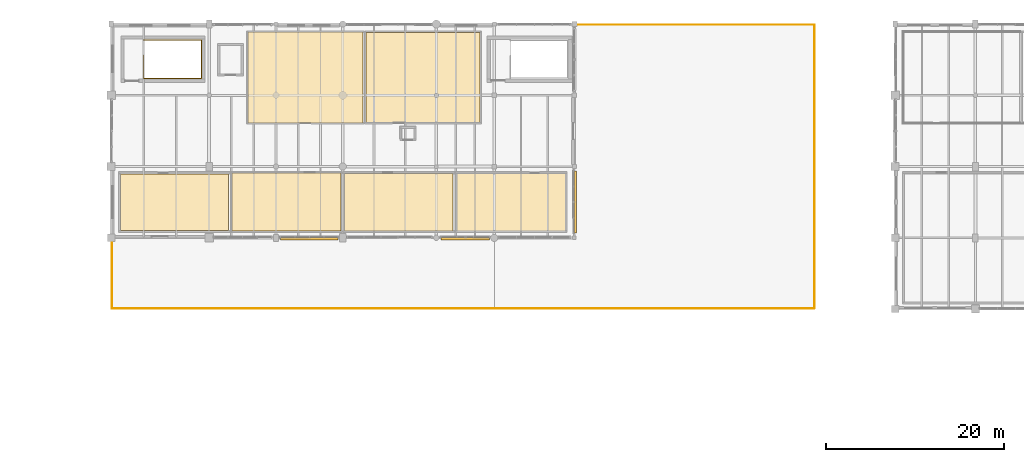
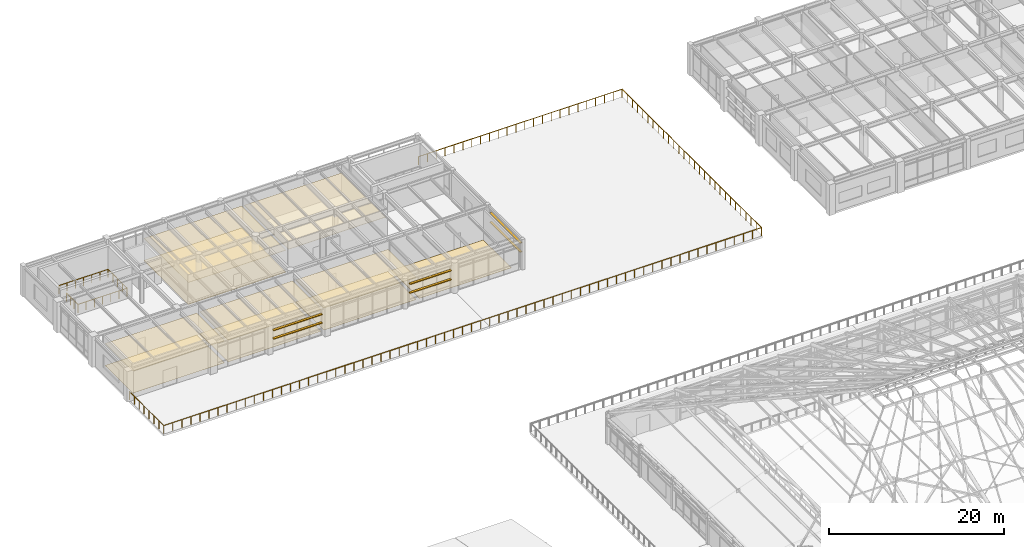
# One storey, part 165 of 168: 10 coverings, 6 shading devices, 2 railings.
"""IFC4 building model written with IfcOpenShell, lengths in metres."""

from ifc_helpers import new_model, si_unit, direction, frame, origin, origin_2d, place, context, subcontext, project, spatial, polyline, rectangle, circle, outline, extrude, material, layer, layer_set, type_object, element, save


model = new_model("IFC4")

# Units and contexts
model_context = context("Model", 3, precision=1e-05, world=origin(), true_north=direction((0.0, 1.0)))
body_context = subcontext(model_context, "Body", "Model", "MODEL_VIEW")
ifc_project = project(units=[si_unit("LENGTHUNIT", "METRE"), si_unit("AREAUNIT", "SQUARE_METRE"), si_unit("VOLUMEUNIT", "CUBIC_METRE"), si_unit("PLANEANGLEUNIT", "RADIAN"), si_unit("MASSUNIT", "GRAM", prefix="KILO"), si_unit("THERMODYNAMICTEMPERATUREUNIT", "KELVIN"), si_unit("POWERUNIT", "WATT")], contexts=[model_context])

# Site, building, storey
site_placement = place(None, origin())
site = spatial("IfcSite", under=ifc_project, at=site_placement, CompositionType="ELEMENT")
building_placement = place(site_placement, origin())
building = spatial("IfcBuilding", under=site, at=building_placement, Name="Tepalcoro Natatorium and Aquatics Centre", CompositionType="ELEMENT")
storey_placement = place(building_placement, frame((0.0, 0.0, 10.199951171875)))
storey = spatial("IfcBuildingStorey", under=building, at=storey_placement, Name="L02", CompositionType="ELEMENT", Elevation=10.199951171875)

# Coverings
ifc_material_1 = material(Name="Perforated Corrosion-Resistant Acoustic Aluminium Baffle Ceiling", Category="aluminium")
ifc_layer_1 = layer(ifc_material_1, 0.044921875)
ifc_layer_set_1 = layer_set([ifc_layer_1], Name="Perforated Corrosion-Resistant Acoustic Aluminium Baffle Ceiling")
covering_type_1 = type_object("IfcCoveringType", Name="CL_BAFFLE_120", PredefinedType="CEILING", material=ifc_layer_set_1)
covering_1_placement = place(storey_placement, frame((0.0, 0.0, 3.050048828125)))
element("IfcCovering", 1, at=covering_1_placement, inside=storey, type_object=covering_type_1, Name="Team Tactical Briefing & Video Analysis Room Suspended Ceiling", PredefinedType="CEILING", context=body_context, shape_type="SweptSolid", body=[
    extrude(outline(polyline([(36.2099609375, 94.77001953125), (36.2099609375, 101.22998046875), (48.389892578125, 101.22998046875), (48.389892578125, 94.77001953125), (36.2099609375, 94.77001953125)])), origin(), (0.0, 0.0, 1.0), 0.044921875),
])
covering_2_placement = place(storey_placement, frame((0.0, 0.0, 3.050048828125)))
element("IfcCovering", 2, at=covering_2_placement, inside=storey, type_object=covering_type_1, Name="Sports Medicine Physician & Ultrasound Rooms Suspended Ceiling", PredefinedType="CEILING", context=body_context, shape_type="SweptSolid", body=[
    extrude(outline(polyline([(38.580078125, 106.93994140625), (38.580078125, 117.06005859375), (51.419921875, 117.06005859375), (51.419921875, 106.93994140625), (38.580078125, 106.93994140625)])), origin(), (0.0, 0.0, 1.0), 0.044921875),
])
ifc_material_2 = material(Name="Moisture-Resistant Acoustic Gypsum Drywall on Cold-Formed Metal Studs")
ifc_layer_2 = layer(ifc_material_2, 0.030029296875)
ifc_layer_set_2 = layer_set([ifc_layer_2], Name="Moisture-Resistant Acoustic Gypsum Drywall on Cold-Formed Metal Studs")
covering_type_2 = type_object("IfcCoveringType", Name="CL_GYPSUM_30", PredefinedType="CEILING", material=ifc_layer_set_2)
covering_3_placement = place(storey_placement, frame((0.0, 0.0, 3.050048828125)))
element("IfcCovering", 3, at=covering_3_placement, inside=storey, type_object=covering_type_2, Name="Cryotherapy & Contrast Plunge Recovery Suite Suspended Ceiling", PredefinedType="CEILING", context=body_context, shape_type="SweptSolid", body=[
    extrude(outline(polyline([(11.050048828125, 94.81005859375), (11.050048828125, 101.18994140625), (23.14990234375, 101.18994140625), (23.14990234375, 94.81005859375), (11.050048828125, 94.81005859375)])), origin(), (0.0, 0.0, 1.0), 0.030029296875),
])
ifc_layer_3 = layer(ifc_material_1, 0.0400390625)
ifc_layer_set_3 = layer_set([ifc_layer_3], Name="Perforated Corrosion-Resistant Acoustic Aluminium Baffle Ceiling")
covering_type_3 = type_object("IfcCoveringType", Name="CL_PERF_AL_40", PredefinedType="CEILING", material=ifc_layer_set_3)
covering_4_placement = place(storey_placement, frame((0.0, 0.0, 3.050048828125)))
element("IfcCovering", 4, at=covering_4_placement, inside=storey, type_object=covering_type_3, Name="Athlete Sleep-Pod & Nap Recovery Suites 1-4 Suspended Ceiling", PredefinedType="CEILING", context=body_context, shape_type="SweptSolid", body=[
    extrude(outline(polyline([(23.580078125, 94.739990234375), (23.580078125, 101.260009765625), (35.820068359375, 101.260009765625), (35.820068359375, 94.739990234375), (23.580078125, 94.739990234375)])), origin(), (0.0, 0.0, 1.0), 0.0400390625),
])
covering_5_placement = place(storey_placement, frame((0.0, 0.0, 3.050048828125)))
element("IfcCovering", 5, at=covering_5_placement, inside=storey, type_object=covering_type_3, Name="Cardiopulmonary VO2-Max & Lactate Testing Lab Suspended Ceiling", PredefinedType="CEILING", context=body_context, shape_type="SweptSolid", body=[
    extrude(outline(polyline([(25.35498046875, 106.9150390625), (25.35498046875, 117.0849609375), (38.2451171875, 117.0849609375), (38.2451171875, 106.9150390625), (25.35498046875, 106.9150390625)])), origin(), (0.0, 0.0, 1.0), 0.0400390625),
])
ifc_material_3 = material(Name="Slip-Resistant Porcelain Aquatic Deck Tile")
ifc_layer_4 = layer(ifc_material_3, 0.02197265625)
ifc_layer_set_4 = layer_set([ifc_layer_4], Name="Slip-Resistant Porcelain Aquatic Deck Tile")
covering_type_4 = type_object("IfcCoveringType", Name="FL_DECK_TILE_22", PredefinedType="FLOORING", material=ifc_layer_set_4)
covering_6_placement = place(storey_placement, origin())
element("IfcCovering", 6, at=covering_6_placement, inside=storey, type_object=covering_type_4, Name="Team Tactical Briefing & Video Analysis Room Floor Finish", PredefinedType="FLOORING", context=body_context, shape_type="SweptSolid", body=[
    extrude(outline(polyline([(36.2099609375, 94.77001953125), (36.2099609375, 101.22998046875), (48.389892578125, 101.22998046875), (48.389892578125, 94.77001953125), (36.2099609375, 94.77001953125)])), origin(), (0.0, 0.0, 1.0), 0.02197265625),
])
ifc_material_4 = material(Name="Shock-Absorbing Vulcanised Athletic Rubber Flooring")
ifc_layer_5 = layer(ifc_material_4, 0.011962890625)
ifc_layer_set_5 = layer_set([ifc_layer_5], Name="Shock-Absorbing Vulcanised Athletic Rubber Flooring")
covering_type_5 = type_object("IfcCoveringType", Name="FL_RUBBER_12", PredefinedType="FLOORING", material=ifc_layer_set_5)
covering_7_placement = place(storey_placement, origin())
element("IfcCovering", 7, at=covering_7_placement, inside=storey, type_object=covering_type_5, Name="Cryotherapy & Contrast Plunge Recovery Suite Floor Finish", PredefinedType="FLOORING", context=body_context, shape_type="SweptSolid", body=[
    extrude(outline(polyline([(11.050048828125, 94.81005859375), (11.050048828125, 101.18994140625), (23.14990234375, 101.18994140625), (23.14990234375, 94.81005859375), (11.050048828125, 94.81005859375)])), origin(), (0.0, 0.0, 1.0), 0.011962890625),
])
ifc_material_5 = material(Name="Polished Jalisco Basalt Aggregate Terrazzo Flooring", Category="masonry")
ifc_layer_6 = layer(ifc_material_5, 0.028076171875)
ifc_layer_set_6 = layer_set([ifc_layer_6], Name="Polished Jalisco Basalt Aggregate Terrazzo Flooring")
covering_type_6 = type_object("IfcCoveringType", Name="FL_TERRAZZO_25", PredefinedType="FLOORING", material=ifc_layer_set_6)
covering_8_placement = place(storey_placement, origin())
element("IfcCovering", 8, at=covering_8_placement, inside=storey, type_object=covering_type_6, Name="Cardiopulmonary VO2-Max & Lactate Testing Lab Floor Finish", PredefinedType="FLOORING", context=body_context, shape_type="SweptSolid", body=[
    extrude(outline(polyline([(25.35498046875, 106.9150390625), (25.35498046875, 117.0849609375), (38.2451171875, 117.0849609375), (38.2451171875, 106.9150390625), (25.35498046875, 106.9150390625)])), origin(), (0.0, 0.0, 1.0), 0.028076171875),
])
ifc_layer_7 = layer(ifc_material_3, 0.01806640625)
ifc_layer_set_7 = layer_set([ifc_layer_7], Name="Slip-Resistant Porcelain Aquatic Deck Tile")
covering_type_7 = type_object("IfcCoveringType", Name="FL_TILE_18", PredefinedType="FLOORING", material=ifc_layer_set_7)
covering_9_placement = place(storey_placement, origin())
element("IfcCovering", 9, at=covering_9_placement, inside=storey, type_object=covering_type_7, Name="Athlete Sleep-Pod & Nap Recovery Suites 1-4 Floor Finish", PredefinedType="FLOORING", context=body_context, shape_type="SweptSolid", body=[
    extrude(outline(polyline([(23.580078125, 94.739990234375), (23.580078125, 101.260009765625), (35.820068359375, 101.260009765625), (35.820068359375, 94.739990234375), (23.580078125, 94.739990234375)])), origin(), (0.0, 0.0, 1.0), 0.01806640625),
])
ifc_material_6 = material(Name="Sprung Maple Sports Floor Assembly")
ifc_layer_8 = layer(ifc_material_6, 0.02392578125)
ifc_layer_set_8 = layer_set([ifc_layer_8], Name="Sprung Maple Sports Floor Assembly")
covering_type_8 = type_object("IfcCoveringType", Name="FL_WOOD_22", PredefinedType="FLOORING", material=ifc_layer_set_8)
covering_10_placement = place(storey_placement, origin())
element("IfcCovering", 10, at=covering_10_placement, inside=storey, type_object=covering_type_8, Name="L02 Recovery Wing Male/Female & Accessible WC Floor Finish", PredefinedType="FLOORING", context=body_context, shape_type="SweptSolid", body=[
    extrude(outline(polyline([(48.830078125, 94.7900390625), (48.830078125, 101.2099609375), (60.969970703125, 101.2099609375), (60.969970703125, 94.7900390625), (48.830078125, 94.7900390625)])), origin(), (0.0, 0.0, 1.0), 0.024169921875),
])

# Railings
ifc_material_7 = material(Name="Marine-Grade Brushed Stainless Steel AISI 316L", Category="steel")
railing_type_1 = type_object("IfcRailingType", Name="RL_PERF_1100", PredefinedType="GUARDRAIL", material=ifc_material_7)
railing_1_placement = place(storey_placement, frame((13.659912109375, 114.47998046875, 0.0)))
element("IfcRailing", 11, at=railing_1_placement, inside=storey, type_object=railing_type_1, Name="ST07 Top Floor Stairwell Guardrail (L02)", PredefinedType="GUARDRAIL", context=body_context, shape_type="SweptSolid", body=[
    extrude(circle(Radius=0.02392578125, at=origin_2d()), frame((0.0, 0.0, 1.11572265625), z_axis=(0.0, -1.0, 0.0), x_axis=(1.0, 0.0, 0.0)), (0.0, 0.0, 1.0), 2.60009765625),
    extrude(circle(Radius=0.02392578125, at=origin_2d()), frame((0.0, -2.60009765625, 1.11572265625), z_axis=(1.0, 0.0, 0.0), x_axis=(0.0, 1.0, 0.0)), (0.0, 0.0, 1.0), 6.47998046875),
    extrude(circle(Radius=0.02392578125, at=origin_2d()), frame((6.47998046875, -2.60009765625, 1.11572265625), z_axis=(0.0, 1.0, 0.0), x_axis=(-1.0, 0.0, 0.0)), (0.0, 0.0, 1.0), 4.340087890625),
    extrude(circle(Radius=0.02392578125, at=origin_2d()), frame((6.47998046875, 1.739990234375, 1.11572265625), z_axis=(-1.0, 0.0, 0.0), x_axis=(0.0, -1.0, 0.0)), (0.0, 0.0, 1.0), 6.47998046875),
    extrude(circle(Radius=0.02099609375, at=origin_2d()), origin(), (0.0, 0.0, 1.0), 1.091796875),
    extrude(circle(Radius=0.02099609375, at=origin_2d()), frame((0.0, -0.86669921875, 0.0)), (0.0, 0.0, 1.0), 1.091796875),
    extrude(circle(Radius=0.02099609375, at=origin_2d()), frame((0.0, -1.7333984375, 0.0)), (0.0, 0.0, 1.0), 1.091796875),
    extrude(circle(Radius=0.02099609375, at=origin_2d()), frame((0.0, -2.60009765625, 0.0)), (0.0, 0.0, 1.0), 1.091796875),
    extrude(circle(Radius=0.02099609375, at=origin_2d()), frame((1.080078125, -2.60009765625, 0.0)), (0.0, 0.0, 1.0), 1.091796875),
    extrude(circle(Radius=0.02099609375, at=origin_2d()), frame((2.159912109375, -2.60009765625, 0.0)), (0.0, 0.0, 1.0), 1.091796875),
    extrude(circle(Radius=0.02099609375, at=origin_2d()), frame((3.239990234375, -2.60009765625, 0.0)), (0.0, 0.0, 1.0), 1.091796875),
    extrude(circle(Radius=0.02099609375, at=origin_2d()), frame((4.320068359375, -2.60009765625, 0.0)), (0.0, 0.0, 1.0), 1.091796875),
    extrude(circle(Radius=0.02099609375, at=origin_2d()), frame((5.39990234375, -2.60009765625, 0.0)), (0.0, 0.0, 1.0), 1.091796875),
    extrude(circle(Radius=0.02099609375, at=origin_2d()), frame((6.47998046875, -2.60009765625, 0.0)), (0.0, 0.0, 1.0), 1.091796875),
    extrude(circle(Radius=0.02099609375, at=origin_2d()), frame((6.47998046875, -1.51513671875, 0.0)), (0.0, 0.0, 1.0), 1.091796875),
    extrude(circle(Radius=0.02099609375, at=origin_2d()), frame((6.47998046875, -0.43017578125, 0.0)), (0.0, 0.0, 1.0), 1.091796875),
    extrude(circle(Radius=0.02099609375, at=origin_2d()), frame((6.47998046875, 0.655029296875, 0.0)), (0.0, 0.0, 1.0), 1.091796875),
    extrude(circle(Radius=0.02099609375, at=origin_2d()), frame((6.47998046875, 1.739990234375, 0.0)), (0.0, 0.0, 1.0), 1.091796875),
    extrude(circle(Radius=0.02099609375, at=origin_2d()), frame((5.39990234375, 1.739990234375, 0.0)), (0.0, 0.0, 1.0), 1.091796875),
    extrude(circle(Radius=0.02099609375, at=origin_2d()), frame((4.320068359375, 1.739990234375, 0.0)), (0.0, 0.0, 1.0), 1.091796875),
    extrude(circle(Radius=0.02099609375, at=origin_2d()), frame((3.239990234375, 1.739990234375, 0.0)), (0.0, 0.0, 1.0), 1.091796875),
    extrude(circle(Radius=0.02099609375, at=origin_2d()), frame((2.159912109375, 1.739990234375, 0.0)), (0.0, 0.0, 1.0), 1.091796875),
    extrude(circle(Radius=0.02099609375, at=origin_2d()), frame((1.080078125, 1.739990234375, 0.0)), (0.0, 0.0, 1.0), 1.091796875),
    extrude(circle(Radius=0.02099609375, at=origin_2d()), frame((0.0, 1.739990234375, 0.0)), (0.0, 0.0, 1.0), 1.091796875),
])
ifc_material_8 = material(Name="Hollow Steel ASTM A500 Grade C (Fy 345 MPa)", Category="steel")
railing_type_2 = type_object("IfcRailingType", Name="RL_STEEL_1100", PredefinedType="GUARDRAIL", material=ifc_material_8)
railing_2_placement = place(storey_placement, frame((10.080078125, 93.919921875, 0.0)))
element("IfcRailing", 12, at=railing_2_placement, inside=storey, type_object=railing_type_2, Name="V4 L02 Planted Recovery Terrace Guardrail", PredefinedType="GUARDRAIL", context=body_context, shape_type="SweptSolid", body=[
    extrude(circle(Radius=0.02392578125, at=origin_2d()), frame((0.0, 0.0, 1.1259765625), z_axis=(0.0, -1.0, 0.0), x_axis=(1.0, 0.0, 0.0)), (0.0, 0.0, 1.0), 7.83984375),
    extrude(circle(Radius=0.02392578125, at=origin_2d()), frame((0.0, -7.83984375, 1.1259765625), z_axis=(1.0, 0.0, 0.0), x_axis=(0.0, 1.0, 0.0)), (0.0, 0.0, 1.0), 78.83984375),
    extrude(circle(Radius=0.02392578125, at=origin_2d()), frame((78.83984375, -7.83984375, 1.1259765625), z_axis=(0.0, 1.0, 0.0), x_axis=(-1.0, 0.0, 0.0)), (0.0, 0.0, 1.0), 31.83984375),
    extrude(circle(Radius=0.02392578125, at=origin_2d()), frame((78.83984375, 24.0, 1.1259765625), z_axis=(-1.0, 0.0, 0.0), x_axis=(0.0, -1.0, 0.0)), (0.0, 0.0, 1.0), 26.83984375),
    extrude(circle(Radius=0.02099609375, at=origin_2d()), origin(), (0.0, 0.0, 1.0), 1.101806640625),
    extrude(circle(Radius=0.02099609375, at=origin_2d()), frame((0.0, -1.119873046875, 0.0)), (0.0, 0.0, 1.0), 1.101806640625),
    extrude(circle(Radius=0.02099609375, at=origin_2d()), frame((0.0, -2.239990234375, 0.0)), (0.0, 0.0, 1.0), 1.101806640625),
    extrude(circle(Radius=0.02099609375, at=origin_2d()), frame((0.0, -3.35986328125, 0.0)), (0.0, 0.0, 1.0), 1.101806640625),
    extrude(circle(Radius=0.02099609375, at=origin_2d()), frame((0.0, -4.47998046875, 0.0)), (0.0, 0.0, 1.0), 1.101806640625),
    extrude(circle(Radius=0.02099609375, at=origin_2d()), frame((0.0, -5.599853515625, 0.0)), (0.0, 0.0, 1.0), 1.101806640625),
    extrude(circle(Radius=0.02099609375, at=origin_2d()), frame((0.0, -6.719970703125, 0.0)), (0.0, 0.0, 1.0), 1.101806640625),
    extrude(circle(Radius=0.02099609375, at=origin_2d()), frame((0.0, -7.83984375, 0.0)), (0.0, 0.0, 1.0), 1.101806640625),
    extrude(circle(Radius=0.02099609375, at=origin_2d()), frame((1.194580078125, -7.83984375, 0.0)), (0.0, 0.0, 1.0), 1.101806640625),
    extrude(circle(Radius=0.02099609375, at=origin_2d()), frame((2.38916015625, -7.83984375, 0.0)), (0.0, 0.0, 1.0), 1.101806640625),
    extrude(circle(Radius=0.02099609375, at=origin_2d()), frame((3.583740234375, -7.83984375, 0.0)), (0.0, 0.0, 1.0), 1.101806640625),
    extrude(circle(Radius=0.02099609375, at=origin_2d()), frame((4.778076171875, -7.83984375, 0.0)), (0.0, 0.0, 1.0), 1.101806640625),
    extrude(circle(Radius=0.02099609375, at=origin_2d()), frame((5.97265625, -7.83984375, 0.0)), (0.0, 0.0, 1.0), 1.101806640625),
    extrude(circle(Radius=0.02099609375, at=origin_2d()), frame((7.167236328125, -7.83984375, 0.0)), (0.0, 0.0, 1.0), 1.101806640625),
    extrude(circle(Radius=0.02099609375, at=origin_2d()), frame((8.36181640625, -7.83984375, 0.0)), (0.0, 0.0, 1.0), 1.101806640625),
    extrude(circle(Radius=0.02099609375, at=origin_2d()), frame((9.556396484375, -7.83984375, 0.0)), (0.0, 0.0, 1.0), 1.101806640625),
    extrude(circle(Radius=0.02099609375, at=origin_2d()), frame((10.7509765625, -7.83984375, 0.0)), (0.0, 0.0, 1.0), 1.101806640625),
    extrude(circle(Radius=0.02099609375, at=origin_2d()), frame((11.9453125, -7.83984375, 0.0)), (0.0, 0.0, 1.0), 1.101806640625),
    extrude(circle(Radius=0.02099609375, at=origin_2d()), frame((13.139892578125, -7.83984375, 0.0)), (0.0, 0.0, 1.0), 1.101806640625),
    extrude(circle(Radius=0.02099609375, at=origin_2d()), frame((14.33447265625, -7.83984375, 0.0)), (0.0, 0.0, 1.0), 1.101806640625),
    extrude(circle(Radius=0.02099609375, at=origin_2d()), frame((15.529052734375, -7.83984375, 0.0)), (0.0, 0.0, 1.0), 1.101806640625),
    extrude(circle(Radius=0.02099609375, at=origin_2d()), frame((16.7236328125, -7.83984375, 0.0)), (0.0, 0.0, 1.0), 1.101806640625),
    extrude(circle(Radius=0.02099609375, at=origin_2d()), frame((17.918212890625, -7.83984375, 0.0)), (0.0, 0.0, 1.0), 1.101806640625),
    extrude(circle(Radius=0.02099609375, at=origin_2d()), frame((19.11279296875, -7.83984375, 0.0)), (0.0, 0.0, 1.0), 1.101806640625),
    extrude(circle(Radius=0.02099609375, at=origin_2d()), frame((20.30712890625, -7.83984375, 0.0)), (0.0, 0.0, 1.0), 1.101806640625),
    extrude(circle(Radius=0.02099609375, at=origin_2d()), frame((21.501708984375, -7.83984375, 0.0)), (0.0, 0.0, 1.0), 1.101806640625),
    extrude(circle(Radius=0.02099609375, at=origin_2d()), frame((22.6962890625, -7.83984375, 0.0)), (0.0, 0.0, 1.0), 1.101806640625),
    extrude(circle(Radius=0.02099609375, at=origin_2d()), frame((23.890869140625, -7.83984375, 0.0)), (0.0, 0.0, 1.0), 1.101806640625),
    extrude(circle(Radius=0.02099609375, at=origin_2d()), frame((25.08544921875, -7.83984375, 0.0)), (0.0, 0.0, 1.0), 1.101806640625),
    extrude(circle(Radius=0.02099609375, at=origin_2d()), frame((26.280029296875, -7.83984375, 0.0)), (0.0, 0.0, 1.0), 1.101806640625),
    extrude(circle(Radius=0.02099609375, at=origin_2d()), frame((27.474609375, -7.83984375, 0.0)), (0.0, 0.0, 1.0), 1.101806640625),
    extrude(circle(Radius=0.02099609375, at=origin_2d()), frame((28.6689453125, -7.83984375, 0.0)), (0.0, 0.0, 1.0), 1.101806640625),
    extrude(circle(Radius=0.02099609375, at=origin_2d()), frame((29.863525390625, -7.83984375, 0.0)), (0.0, 0.0, 1.0), 1.101806640625),
    extrude(circle(Radius=0.02099609375, at=origin_2d()), frame((31.05810546875, -7.83984375, 0.0)), (0.0, 0.0, 1.0), 1.101806640625),
    extrude(circle(Radius=0.02099609375, at=origin_2d()), frame((32.252685546875, -7.83984375, 0.0)), (0.0, 0.0, 1.0), 1.101806640625),
    extrude(circle(Radius=0.02099609375, at=origin_2d()), frame((33.447265625, -7.83984375, 0.0)), (0.0, 0.0, 1.0), 1.101806640625),
    extrude(circle(Radius=0.02099609375, at=origin_2d()), frame((34.641845703125, -7.83984375, 0.0)), (0.0, 0.0, 1.0), 1.101806640625),
    extrude(circle(Radius=0.02099609375, at=origin_2d()), frame((35.836181640625, -7.83984375, 0.0)), (0.0, 0.0, 1.0), 1.101806640625),
    extrude(circle(Radius=0.02099609375, at=origin_2d()), frame((37.03076171875, -7.83984375, 0.0)), (0.0, 0.0, 1.0), 1.101806640625),
    extrude(circle(Radius=0.02099609375, at=origin_2d()), frame((38.225341796875, -7.83984375, 0.0)), (0.0, 0.0, 1.0), 1.101806640625),
    extrude(circle(Radius=0.02099609375, at=origin_2d()), frame((39.419921875, -7.83984375, 0.0)), (0.0, 0.0, 1.0), 1.101806640625),
    extrude(circle(Radius=0.02099609375, at=origin_2d()), frame((40.614501953125, -7.83984375, 0.0)), (0.0, 0.0, 1.0), 1.101806640625),
    extrude(circle(Radius=0.02099609375, at=origin_2d()), frame((41.80908203125, -7.83984375, 0.0)), (0.0, 0.0, 1.0), 1.101806640625),
    extrude(circle(Radius=0.02099609375, at=origin_2d()), frame((43.003662109375, -7.83984375, 0.0)), (0.0, 0.0, 1.0), 1.101806640625),
    extrude(circle(Radius=0.02099609375, at=origin_2d()), frame((44.197998046875, -7.83984375, 0.0)), (0.0, 0.0, 1.0), 1.101806640625),
    extrude(circle(Radius=0.02099609375, at=origin_2d()), frame((45.392578125, -7.83984375, 0.0)), (0.0, 0.0, 1.0), 1.101806640625),
    extrude(circle(Radius=0.02099609375, at=origin_2d()), frame((46.587158203125, -7.83984375, 0.0)), (0.0, 0.0, 1.0), 1.101806640625),
    extrude(circle(Radius=0.02099609375, at=origin_2d()), frame((47.78173828125, -7.83984375, 0.0)), (0.0, 0.0, 1.0), 1.101806640625),
    extrude(circle(Radius=0.02099609375, at=origin_2d()), frame((48.976318359375, -7.83984375, 0.0)), (0.0, 0.0, 1.0), 1.101806640625),
    extrude(circle(Radius=0.02099609375, at=origin_2d()), frame((50.1708984375, -7.83984375, 0.0)), (0.0, 0.0, 1.0), 1.101806640625),
    extrude(circle(Radius=0.02099609375, at=origin_2d()), frame((51.365234375, -7.83984375, 0.0)), (0.0, 0.0, 1.0), 1.101806640625),
    extrude(circle(Radius=0.02099609375, at=origin_2d()), frame((52.559814453125, -7.83984375, 0.0)), (0.0, 0.0, 1.0), 1.101806640625),
    extrude(circle(Radius=0.02099609375, at=origin_2d()), frame((53.75439453125, -7.83984375, 0.0)), (0.0, 0.0, 1.0), 1.101806640625),
    extrude(circle(Radius=0.02099609375, at=origin_2d()), frame((54.948974609375, -7.83984375, 0.0)), (0.0, 0.0, 1.0), 1.101806640625),
    extrude(circle(Radius=0.02099609375, at=origin_2d()), frame((56.1435546875, -7.83984375, 0.0)), (0.0, 0.0, 1.0), 1.101806640625),
    extrude(circle(Radius=0.02099609375, at=origin_2d()), frame((57.338134765625, -7.83984375, 0.0)), (0.0, 0.0, 1.0), 1.101806640625),
    extrude(circle(Radius=0.02099609375, at=origin_2d()), frame((58.53271484375, -7.83984375, 0.0)), (0.0, 0.0, 1.0), 1.101806640625),
    extrude(circle(Radius=0.02099609375, at=origin_2d()), frame((59.72705078125, -7.83984375, 0.0)), (0.0, 0.0, 1.0), 1.101806640625),
    extrude(circle(Radius=0.02099609375, at=origin_2d()), frame((60.921630859375, -7.83984375, 0.0)), (0.0, 0.0, 1.0), 1.101806640625),
    extrude(circle(Radius=0.02099609375, at=origin_2d()), frame((62.1162109375, -7.83984375, 0.0)), (0.0, 0.0, 1.0), 1.101806640625),
    extrude(circle(Radius=0.02099609375, at=origin_2d()), frame((63.310791015625, -7.83984375, 0.0)), (0.0, 0.0, 1.0), 1.101806640625),
    extrude(circle(Radius=0.02099609375, at=origin_2d()), frame((64.50537109375, -7.83984375, 0.0)), (0.0, 0.0, 1.0), 1.101806640625),
    extrude(circle(Radius=0.02099609375, at=origin_2d()), frame((65.699951171875, -7.83984375, 0.0)), (0.0, 0.0, 1.0), 1.101806640625),
    extrude(circle(Radius=0.02099609375, at=origin_2d()), frame((66.89453125, -7.83984375, 0.0)), (0.0, 0.0, 1.0), 1.101806640625),
    extrude(circle(Radius=0.02099609375, at=origin_2d()), frame((68.0888671875, -7.83984375, 0.0)), (0.0, 0.0, 1.0), 1.101806640625),
    extrude(circle(Radius=0.02099609375, at=origin_2d()), frame((69.283447265625, -7.83984375, 0.0)), (0.0, 0.0, 1.0), 1.101806640625),
    extrude(circle(Radius=0.02099609375, at=origin_2d()), frame((70.47802734375, -7.83984375, 0.0)), (0.0, 0.0, 1.0), 1.101806640625),
    extrude(circle(Radius=0.02099609375, at=origin_2d()), frame((71.672607421875, -7.83984375, 0.0)), (0.0, 0.0, 1.0), 1.101806640625),
    extrude(circle(Radius=0.02099609375, at=origin_2d()), frame((72.8671875, -7.83984375, 0.0)), (0.0, 0.0, 1.0), 1.101806640625),
    extrude(circle(Radius=0.02099609375, at=origin_2d()), frame((74.061767578125, -7.83984375, 0.0)), (0.0, 0.0, 1.0), 1.101806640625),
    extrude(circle(Radius=0.02099609375, at=origin_2d()), frame((75.256103515625, -7.83984375, 0.0)), (0.0, 0.0, 1.0), 1.101806640625),
    extrude(circle(Radius=0.02099609375, at=origin_2d()), frame((76.45068359375, -7.83984375, 0.0)), (0.0, 0.0, 1.0), 1.101806640625),
    extrude(circle(Radius=0.02099609375, at=origin_2d()), frame((77.645263671875, -7.83984375, 0.0)), (0.0, 0.0, 1.0), 1.101806640625),
    extrude(circle(Radius=0.02099609375, at=origin_2d()), frame((78.83984375, -7.83984375, 0.0)), (0.0, 0.0, 1.0), 1.101806640625),
    extrude(circle(Radius=0.02099609375, at=origin_2d()), frame((78.83984375, -6.66064453125, 0.0)), (0.0, 0.0, 1.0), 1.101806640625),
    extrude(circle(Radius=0.02099609375, at=origin_2d()), frame((78.83984375, -5.4814453125, 0.0)), (0.0, 0.0, 1.0), 1.101806640625),
    extrude(circle(Radius=0.02099609375, at=origin_2d()), frame((78.83984375, -4.302001953125, 0.0)), (0.0, 0.0, 1.0), 1.101806640625),
    extrude(circle(Radius=0.02099609375, at=origin_2d()), frame((78.83984375, -3.122802734375, 0.0)), (0.0, 0.0, 1.0), 1.101806640625),
    extrude(circle(Radius=0.02099609375, at=origin_2d()), frame((78.83984375, -1.943603515625, 0.0)), (0.0, 0.0, 1.0), 1.101806640625),
    extrude(circle(Radius=0.02099609375, at=origin_2d()), frame((78.83984375, -0.764404296875, 0.0)), (0.0, 0.0, 1.0), 1.101806640625),
    extrude(circle(Radius=0.02099609375, at=origin_2d()), frame((78.83984375, 0.4150390625, 0.0)), (0.0, 0.0, 1.0), 1.101806640625),
    extrude(circle(Radius=0.02099609375, at=origin_2d()), frame((78.83984375, 1.59423828125, 0.0)), (0.0, 0.0, 1.0), 1.101806640625),
    extrude(circle(Radius=0.02099609375, at=origin_2d()), frame((78.83984375, 2.7734375, 0.0)), (0.0, 0.0, 1.0), 1.101806640625),
    extrude(circle(Radius=0.02099609375, at=origin_2d()), frame((78.83984375, 3.95263671875, 0.0)), (0.0, 0.0, 1.0), 1.101806640625),
    extrude(circle(Radius=0.02099609375, at=origin_2d()), frame((78.83984375, 5.1318359375, 0.0)), (0.0, 0.0, 1.0), 1.101806640625),
    extrude(circle(Radius=0.02099609375, at=origin_2d()), frame((78.83984375, 6.311279296875, 0.0)), (0.0, 0.0, 1.0), 1.101806640625),
    extrude(circle(Radius=0.02099609375, at=origin_2d()), frame((78.83984375, 7.490478515625, 0.0)), (0.0, 0.0, 1.0), 1.101806640625),
    extrude(circle(Radius=0.02099609375, at=origin_2d()), frame((78.83984375, 8.669677734375, 0.0)), (0.0, 0.0, 1.0), 1.101806640625),
    extrude(circle(Radius=0.02099609375, at=origin_2d()), frame((78.83984375, 9.848876953125, 0.0)), (0.0, 0.0, 1.0), 1.101806640625),
    extrude(circle(Radius=0.02099609375, at=origin_2d()), frame((78.83984375, 11.0283203125, 0.0)), (0.0, 0.0, 1.0), 1.101806640625),
    extrude(circle(Radius=0.02099609375, at=origin_2d()), frame((78.83984375, 12.20751953125, 0.0)), (0.0, 0.0, 1.0), 1.101806640625),
    extrude(circle(Radius=0.02099609375, at=origin_2d()), frame((78.83984375, 13.38671875, 0.0)), (0.0, 0.0, 1.0), 1.101806640625),
    extrude(circle(Radius=0.02099609375, at=origin_2d()), frame((78.83984375, 14.56591796875, 0.0)), (0.0, 0.0, 1.0), 1.101806640625),
    extrude(circle(Radius=0.02099609375, at=origin_2d()), frame((78.83984375, 15.7451171875, 0.0)), (0.0, 0.0, 1.0), 1.101806640625),
    extrude(circle(Radius=0.02099609375, at=origin_2d()), frame((78.83984375, 16.924560546875, 0.0)), (0.0, 0.0, 1.0), 1.101806640625),
    extrude(circle(Radius=0.02099609375, at=origin_2d()), frame((78.83984375, 18.103759765625, 0.0)), (0.0, 0.0, 1.0), 1.101806640625),
    extrude(circle(Radius=0.02099609375, at=origin_2d()), frame((78.83984375, 19.282958984375, 0.0)), (0.0, 0.0, 1.0), 1.101806640625),
    extrude(circle(Radius=0.02099609375, at=origin_2d()), frame((78.83984375, 20.462158203125, 0.0)), (0.0, 0.0, 1.0), 1.101806640625),
    extrude(circle(Radius=0.02099609375, at=origin_2d()), frame((78.83984375, 21.6416015625, 0.0)), (0.0, 0.0, 1.0), 1.101806640625),
    extrude(circle(Radius=0.02099609375, at=origin_2d()), frame((78.83984375, 22.82080078125, 0.0)), (0.0, 0.0, 1.0), 1.101806640625),
    extrude(circle(Radius=0.02099609375, at=origin_2d()), frame((78.83984375, 24.0, 0.0)), (0.0, 0.0, 1.0), 1.101806640625),
    extrude(circle(Radius=0.02099609375, at=origin_2d()), frame((77.6728515625, 24.0, 0.0)), (0.0, 0.0, 1.0), 1.101806640625),
    extrude(circle(Radius=0.02099609375, at=origin_2d()), frame((76.505859375, 24.0, 0.0)), (0.0, 0.0, 1.0), 1.101806640625),
    extrude(circle(Radius=0.02099609375, at=origin_2d()), frame((75.339111328125, 24.0, 0.0)), (0.0, 0.0, 1.0), 1.101806640625),
    extrude(circle(Radius=0.02099609375, at=origin_2d()), frame((74.172119140625, 24.0, 0.0)), (0.0, 0.0, 1.0), 1.101806640625),
    extrude(circle(Radius=0.02099609375, at=origin_2d()), frame((73.005126953125, 24.0, 0.0)), (0.0, 0.0, 1.0), 1.101806640625),
    extrude(circle(Radius=0.02099609375, at=origin_2d()), frame((71.838134765625, 24.0, 0.0)), (0.0, 0.0, 1.0), 1.101806640625),
    extrude(circle(Radius=0.02099609375, at=origin_2d()), frame((70.671142578125, 24.0, 0.0)), (0.0, 0.0, 1.0), 1.101806640625),
    extrude(circle(Radius=0.02099609375, at=origin_2d()), frame((69.504150390625, 24.0, 0.0)), (0.0, 0.0, 1.0), 1.101806640625),
    extrude(circle(Radius=0.02099609375, at=origin_2d()), frame((68.33740234375, 24.0, 0.0)), (0.0, 0.0, 1.0), 1.101806640625),
    extrude(circle(Radius=0.02099609375, at=origin_2d()), frame((67.17041015625, 24.0, 0.0)), (0.0, 0.0, 1.0), 1.101806640625),
    extrude(circle(Radius=0.02099609375, at=origin_2d()), frame((66.00341796875, 24.0, 0.0)), (0.0, 0.0, 1.0), 1.101806640625),
    extrude(circle(Radius=0.02099609375, at=origin_2d()), frame((64.83642578125, 24.0, 0.0)), (0.0, 0.0, 1.0), 1.101806640625),
    extrude(circle(Radius=0.02099609375, at=origin_2d()), frame((63.66943359375, 24.0, 0.0)), (0.0, 0.0, 1.0), 1.101806640625),
    extrude(circle(Radius=0.02099609375, at=origin_2d()), frame((62.50244140625, 24.0, 0.0)), (0.0, 0.0, 1.0), 1.101806640625),
    extrude(circle(Radius=0.02099609375, at=origin_2d()), frame((61.335693359375, 24.0, 0.0)), (0.0, 0.0, 1.0), 1.101806640625),
    extrude(circle(Radius=0.02099609375, at=origin_2d()), frame((60.168701171875, 24.0, 0.0)), (0.0, 0.0, 1.0), 1.101806640625),
    extrude(circle(Radius=0.02099609375, at=origin_2d()), frame((59.001708984375, 24.0, 0.0)), (0.0, 0.0, 1.0), 1.101806640625),
    extrude(circle(Radius=0.02099609375, at=origin_2d()), frame((57.834716796875, 24.0, 0.0)), (0.0, 0.0, 1.0), 1.101806640625),
    extrude(circle(Radius=0.02099609375, at=origin_2d()), frame((56.667724609375, 24.0, 0.0)), (0.0, 0.0, 1.0), 1.101806640625),
    extrude(circle(Radius=0.02099609375, at=origin_2d()), frame((55.500732421875, 24.0, 0.0)), (0.0, 0.0, 1.0), 1.101806640625),
    extrude(circle(Radius=0.02099609375, at=origin_2d()), frame((54.333984375, 24.0, 0.0)), (0.0, 0.0, 1.0), 1.101806640625),
    extrude(circle(Radius=0.02099609375, at=origin_2d()), frame((53.1669921875, 24.0, 0.0)), (0.0, 0.0, 1.0), 1.101806640625),
    extrude(circle(Radius=0.02099609375, at=origin_2d()), frame((52.0, 24.0, 0.0)), (0.0, 0.0, 1.0), 1.101806640625),
])

# Shading devices
ifc_material_9 = material(Name="Bronze-Anodised Extruded Aluminium Alloy EN AW-6063 T6", Category="aluminium")
shading_device_type = type_object("IfcShadingDeviceType", Name="SHD_FIN_BRONZE", PredefinedType="SHUTTER", material=ifc_material_9)
for number, where, z_axis, x_axis, name in (
    (13, (32.25, 93.90625, 1.832275390625), (0.0, 0.0, 1.0), (1.0, 0.0, 0.0), "Solar Shading Brise-Soleil SHD_FIN_BRONZE"),
    (14, (32.25, 93.90625, 3.01806640625), (0.0, 0.0, 1.0), (1.0, 0.0, 0.0), "Solar Shading Brise-Soleil SHD_FIN_BRONZE"),
):
    element("IfcShadingDevice", number, at=place(storey_placement, frame(where, z_axis=z_axis, x_axis=x_axis)), inside=storey, type_object=shading_device_type, Name=name, PredefinedType="SHUTTER", context=body_context, shape_type="SweptSolid", body=[
        extrude(rectangle(XDim=6.4599609375, YDim=0.300048828125, at=origin_2d()), origin(), (0.0, 0.0, 1.0), 0.080078125),
    ])
for number, where, z_axis, x_axis, name in (
    (15, (49.75, 93.90625, 1.921630859375), (0.0, 0.0, 1.0), (1.0, 0.0, 0.0), "Solar Shading Brise-Soleil SHD_FIN_BRONZE"),
    (16, (49.75, 93.90625, 3.169921875), (0.0, 0.0, 1.0), (1.0, 0.0, 0.0), "Solar Shading Brise-Soleil SHD_FIN_BRONZE"),
):
    element("IfcShadingDevice", number, at=place(storey_placement, frame(where, z_axis=z_axis, x_axis=x_axis)), inside=storey, type_object=shading_device_type, Name=name, PredefinedType="SHUTTER", context=body_context, shape_type="SweptSolid", body=[
        extrude(rectangle(XDim=5.4599609375, YDim=0.300048828125, at=origin_2d()), origin(), (0.0, 0.0, 1.0), 0.080078125),
    ])
for number, where, z_axis, x_axis, name in (
    (17, (62.09375, 98.0, 1.9482421875), (0.0, 0.0, 1.0), (1.0, 0.0, 0.0), "Solar Shading Brise-Soleil SHD_FIN_BRONZE"),
    (18, (62.09375, 98.0, 3.217041015625), (0.0, 0.0, 1.0), (1.0, 0.0, 0.0), "Solar Shading Brise-Soleil SHD_FIN_BRONZE"),
):
    element("IfcShadingDevice", number, at=place(storey_placement, frame(where, z_axis=z_axis, x_axis=x_axis)), inside=storey, type_object=shading_device_type, Name=name, PredefinedType="SHUTTER", context=body_context, shape_type="SweptSolid", body=[
        extrude(rectangle(XDim=0.300048828125, YDim=6.9599609375, at=origin_2d()), origin(), (0.0, 0.0, 1.0), 0.080078125),
    ])

save(model, "model.ifc")
